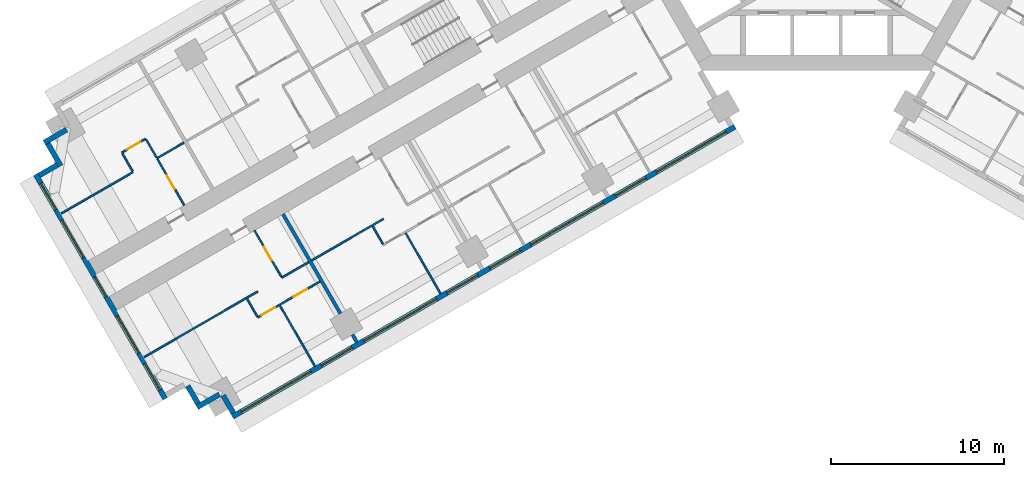
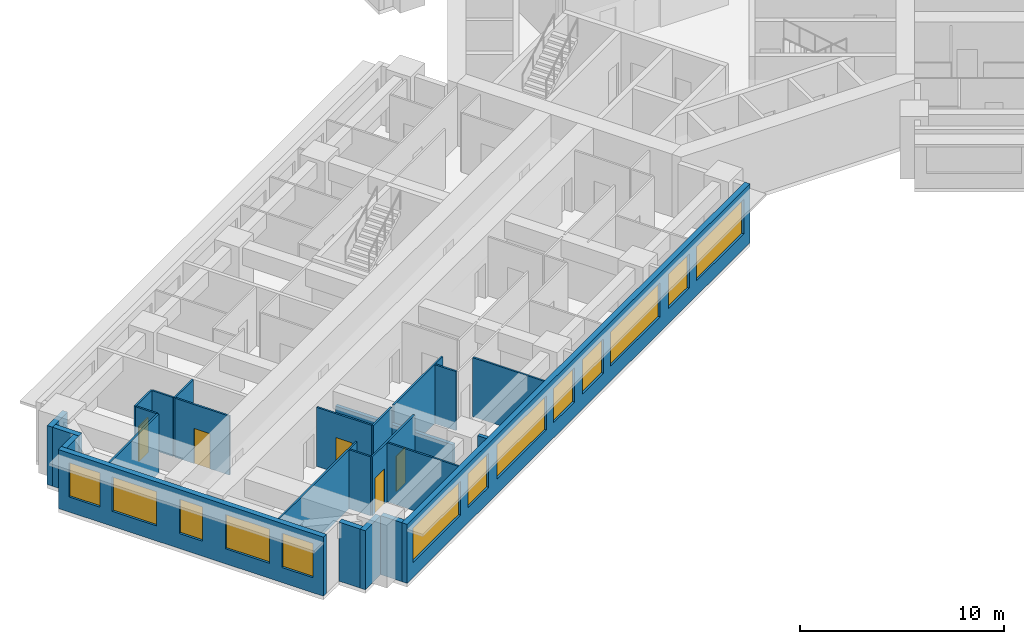
# One storey, part 3 of 15: 25 walls, 13 windows, 5 doors, 18 openings.
"""IFC4 building model written with IfcOpenShell, lengths in metres."""

from ifc_helpers import new_model, si_unit, direction, frame, frame_2d, origin, place, context, subcontext, project, spatial, rectangle, extrude, material, layer, layer_set, type_object, element, fill, save


model = new_model("IFC4")

# Units and contexts
model_context = context("Model", 3, precision=1e-05, world=origin(), true_north=direction((0.0, 1.0)))
body_context = subcontext(model_context, "Body", "Model", "MODEL_VIEW")
ifc_project = project(units=[si_unit("LENGTHUNIT", "METRE"), si_unit("AREAUNIT", "SQUARE_METRE"), si_unit("VOLUMEUNIT", "CUBIC_METRE"), si_unit("PLANEANGLEUNIT", "RADIAN"), si_unit("MASSUNIT", "GRAM", prefix="KILO")], contexts=[model_context])

# Site, building, storey
site_placement = place(None, origin())
site = spatial("IfcSite", under=ifc_project, at=site_placement, CompositionType="ELEMENT")
building_placement = place(site_placement, origin())
building = spatial("IfcBuilding", under=site, at=building_placement, Name="Impinga Residences", CompositionType="ELEMENT")
storey_placement = place(building_placement, frame((0.0, 0.0, 86.0)))
storey = spatial("IfcBuildingStorey", under=building, at=storey_placement, Name="L21", CompositionType="ELEMENT", Elevation=86.0)

# Walls
ifc_material_1 = material(Name="Terracotta rainscreen on blockwork", Category="masonry")
ifc_layer_1 = layer(ifc_material_1, 0.300048828125)
ifc_layer_set_1 = layer_set([ifc_layer_1], Name="EW1 external wall, terracotta rainscreen on blockwork 300")
wall_type_1 = type_object("IfcWallType", Name="EW1 external wall, terracotta rainscreen on blockwork 300", PredefinedType="SOLIDWALL", material=ifc_layer_set_1)
wall_1_placement = place(storey_placement, frame((-33.7685546875, -31.274169921875, 0.0), z_axis=(0.0, 0.0, 1.0), x_axis=(-0.499940577336, 0.866059708757, 0.0)))
element("IfcWall", 1, at=wall_1_placement, inside=storey, type_object=wall_type_1, Name="External wall EW1 L21", PredefinedType="SOLIDWALL", context=body_context, shape_type="SweptSolid", body=[
    extrude(rectangle(XDim=1.195068359375, YDim=0.300048828125, at=frame_2d((0.59765625, 0.0))), origin(), (0.0, 0.0, 1.0), 3.530029296875),
])
wall_2_placement = place(storey_placement, frame((-34.573486328125, -30.18017578125, 0.0), z_axis=(0.0, 0.0, 1.0), x_axis=(-0.866031096941, -0.499990139034, 0.0)))
element("IfcWall", 2, at=wall_2_placement, inside=storey, type_object=wall_type_1, Name="External wall EW1 L21", PredefinedType="SOLIDWALL", context=body_context, shape_type="SweptSolid", body=[
    extrude(rectangle(XDim=1.5, YDim=0.300048828125, at=frame_2d((0.75, 0.0))), origin(), (0.0, 0.0, 1.0), 3.530029296875),
])
wall_3_placement = place(storey_placement, frame((-35.817626953125, -30.72509765625, 0.0), z_axis=(0.0, 0.0, 1.0), x_axis=(-0.499969057507, 0.866043267704, 0.0)))
element("IfcWall", 3, at=wall_3_placement, inside=storey, type_object=wall_type_1, Name="External wall EW1 L21", PredefinedType="SOLIDWALL", context=body_context, shape_type="SweptSolid", body=[
    extrude(rectangle(XDim=1.19970703125, YDim=0.300048828125, at=frame_2d((0.599853515625, 0.0))), origin(), (0.0, 0.0, 1.0), 3.530029296875),
])

# Wall, openings, windows
wall_4_placement = place(storey_placement, frame((-37.716552734375, -30.43603515625, 0.0), z_axis=(0.0, 0.0, 1.0), x_axis=(-0.499997186618, 0.866027028085, 0.0)))
wall_4 = element("IfcWall", 4, at=wall_4_placement, inside=storey, type_object=wall_type_1, Name="External wall EW1 L21", PredefinedType="SOLIDWALL", context=body_context, shape_type="SweptSolid", body=[
    extrude(rectangle(XDim=15.0, YDim=0.300048828125, at=frame_2d((7.5, 0.0))), origin(), (0.0, 0.0, 1.0), 3.530029296875),
])
opening_1_placement = place(wall_4_placement, frame((0.60009765625, 0.0, 0.89990234375)))
opening_1 = element("IfcOpeningElement", 5, at=opening_1_placement, cuts=wall_4, Name="Opening W1", PredefinedType="OPENING", context=body_context, shape_type="SweptSolid", body=[
    extrude(rectangle(XDim=1.75, YDim=2.050048828125, at=frame_2d((0.875, 1.02490234375))), frame((0.0, 0.159912109375, 0.0), z_axis=(0.0, -1.0, 0.0), x_axis=(1.0, 0.0, 0.0)), (0.0, 0.0, 1.0), 0.320068359375),
])
opening_2_placement = place(wall_4_placement, frame((3.050048828125, 0.0, 0.89990234375)))
opening_2 = element("IfcOpeningElement", 6, at=opening_2_placement, cuts=wall_4, Name="Opening W2", PredefinedType="OPENING", context=body_context, shape_type="SweptSolid", body=[
    extrude(rectangle(XDim=2.5, YDim=2.050048828125, at=frame_2d((1.25, 1.02490234375))), frame((0.0, 0.159912109375, 0.0), z_axis=(0.0, -1.0, 0.0), x_axis=(1.0, 0.0, 0.0)), (0.0, 0.0, 1.0), 0.320068359375),
])
opening_3_placement = place(wall_4_placement, frame((6.85009765625, 0.0, 0.89990234375)))
opening_3 = element("IfcOpeningElement", 7, at=opening_3_placement, cuts=wall_4, Name="Opening WE1", PredefinedType="OPENING", context=body_context, shape_type="SweptSolid", body=[
    extrude(rectangle(XDim=1.300048828125, YDim=2.050048828125, at=frame_2d((0.64990234375, 1.02490234375))), frame((0.0, 0.159912109375, 0.0), z_axis=(0.0, -1.0, 0.0), x_axis=(1.0, 0.0, 0.0)), (0.0, 0.0, 1.0), 0.320068359375),
])
opening_4_placement = place(wall_4_placement, frame((9.449951171875, 0.0, 0.89990234375)))
opening_4 = element("IfcOpeningElement", 8, at=opening_4_placement, cuts=wall_4, Name="Opening W2", PredefinedType="OPENING", context=body_context, shape_type="SweptSolid", body=[
    extrude(rectangle(XDim=2.5, YDim=2.050048828125, at=frame_2d((1.25, 1.02490234375))), frame((0.0, 0.159912109375, 0.0), z_axis=(0.0, -1.0, 0.0), x_axis=(1.0, 0.0, 0.0)), (0.0, 0.0, 1.0), 0.320068359375),
])
opening_5_placement = place(wall_4_placement, frame((12.64990234375, 0.0, 0.89990234375)))
opening_5 = element("IfcOpeningElement", 9, at=opening_5_placement, cuts=wall_4, Name="Opening W1", PredefinedType="OPENING", context=body_context, shape_type="SweptSolid", body=[
    extrude(rectangle(XDim=1.75, YDim=2.050048828125, at=frame_2d((0.875, 1.02490234375))), frame((0.0, 0.159912109375, 0.0), z_axis=(0.0, -1.0, 0.0), x_axis=(1.0, 0.0, 0.0)), (0.0, 0.0, 1.0), 0.320068359375),
])
ifc_material_2 = material(Name="Aluminium window, clear double glazing", Category="aluminium")
window_type_1 = type_object("IfcWindowType", Name="W1 ribbon window 1750x2050", PartitioningType="SINGLE_PANEL", PredefinedType="WINDOW", material=ifc_material_2)
window_1_placement = place(opening_1_placement, origin())
window_1 = element("IfcWindow", 10, at=window_1_placement, inside=storey, type_object=window_type_1, Name="Window L21", OverallHeight=2.050048828125, OverallWidth=1.75, PartitioningType="SINGLE_PANEL", PredefinedType="WINDOW", context=body_context, shape_type="SweptSolid", body=[
    extrude(rectangle(XDim=1.75, YDim=2.050048828125, at=frame_2d((0.875, 1.02490234375))), frame((0.0, 0.030029296875, 0.0), z_axis=(0.0, -1.0, 0.0), x_axis=(1.0, 0.0, 0.0)), (0.0, 0.0, 1.0), 0.06005859375),
])
fill(opening_1, window_1)
window_2_placement = place(opening_5_placement, origin())
window_2 = element("IfcWindow", 11, at=window_2_placement, inside=storey, type_object=window_type_1, Name="Window L21", OverallHeight=2.050048828125, OverallWidth=1.75, PartitioningType="SINGLE_PANEL", PredefinedType="WINDOW", context=body_context, shape_type="SweptSolid", body=[
    extrude(rectangle(XDim=1.75, YDim=2.050048828125, at=frame_2d((0.875, 1.02490234375))), frame((0.0, 0.030029296875, 0.0), z_axis=(0.0, -1.0, 0.0), x_axis=(1.0, 0.0, 0.0)), (0.0, 0.0, 1.0), 0.06005859375),
])
fill(opening_5, window_2)
window_type_2 = type_object("IfcWindowType", Name="W2 ribbon window 2500x2050", PartitioningType="SINGLE_PANEL", PredefinedType="WINDOW", material=ifc_material_2)
window_3_placement = place(opening_2_placement, origin())
window_3 = element("IfcWindow", 12, at=window_3_placement, inside=storey, type_object=window_type_2, Name="Window L21", OverallHeight=2.050048828125, OverallWidth=2.5, PartitioningType="SINGLE_PANEL", PredefinedType="WINDOW", context=body_context, shape_type="SweptSolid", body=[
    extrude(rectangle(XDim=2.5, YDim=2.050048828125, at=frame_2d((1.25, 1.02490234375))), frame((0.0, 0.030029296875, 0.0), z_axis=(0.0, -1.0, 0.0), x_axis=(1.0, 0.0, 0.0)), (0.0, 0.0, 1.0), 0.06005859375),
])
fill(opening_2, window_3)
window_4_placement = place(opening_4_placement, origin())
window_4 = element("IfcWindow", 13, at=window_4_placement, inside=storey, type_object=window_type_2, Name="Window L21", OverallHeight=2.050048828125, OverallWidth=2.5, PartitioningType="SINGLE_PANEL", PredefinedType="WINDOW", context=body_context, shape_type="SweptSolid", body=[
    extrude(rectangle(XDim=2.5, YDim=2.050048828125, at=frame_2d((1.25, 1.02490234375))), frame((0.0, 0.030029296875, 0.0), z_axis=(0.0, -1.0, 0.0), x_axis=(1.0, 0.0, 0.0)), (0.0, 0.0, 1.0), 0.06005859375),
])
fill(opening_4, window_4)
window_type_3 = type_object("IfcWindowType", Name="WE1 corridor window 1300x2050", PartitioningType="SINGLE_PANEL", PredefinedType="WINDOW", material=ifc_material_2)
window_5_placement = place(opening_3_placement, origin())
window_5 = element("IfcWindow", 14, at=window_5_placement, inside=storey, type_object=window_type_3, Name="Window L21", OverallHeight=2.050048828125, OverallWidth=1.300048828125, PartitioningType="SINGLE_PANEL", PredefinedType="WINDOW", context=body_context, shape_type="SweptSolid", body=[
    extrude(rectangle(XDim=1.300048828125, YDim=2.050048828125, at=frame_2d((0.64990234375, 1.02490234375))), frame((0.0, 0.030029296875, 0.0), z_axis=(0.0, -1.0, 0.0), x_axis=(1.0, 0.0, 0.0)), (0.0, 0.0, 1.0), 0.06005859375),
])
fill(opening_3, window_5)

# Walls
wall_5_placement = place(storey_placement, frame((-45.01171875, -17.50048828125, 0.0), z_axis=(0.0, 0.0, 1.0), x_axis=(0.866059708757, 0.499940577336, 0.0)))
element("IfcWall", 15, at=wall_5_placement, inside=storey, type_object=wall_type_1, Name="External wall EW1 L21", PredefinedType="SOLIDWALL", context=body_context, shape_type="SweptSolid", body=[
    extrude(rectangle(XDim=1.195068359375, YDim=0.300048828125, at=frame_2d((0.59765625, 0.0))), origin(), (0.0, 0.0, 1.0), 3.530029296875),
])
for number, where, z_axis, x_axis, name in (
    (16, (-43.767578125, -16.955322265625, 0.0), (0.0, 0.0, 1.0), (-0.499990139034, 0.866031096941, 0.0), "External wall EW1 L21"),
    (17, (-44.722412109375, -15.6015625, 0.0), (0.0, 0.0, 1.0), (0.866031096941, 0.499990139034, 0.0), "External wall EW1 L21"),
):
    element("IfcWall", number, at=place(storey_placement, frame(where, z_axis=z_axis, x_axis=x_axis)), inside=storey, type_object=wall_type_1, Name=name, PredefinedType="SOLIDWALL", context=body_context, shape_type="SweptSolid", body=[
        extrude(rectangle(XDim=1.5, YDim=0.300048828125, at=frame_2d((0.75, 0.0))), origin(), (0.0, 0.0, 1.0), 3.530029296875),
    ])

# Wall, openings, windows
wall_6_placement = place(storey_placement, frame((-4.72509765625, -14.67919921875, 0.0), z_axis=(0.0, 0.0, 1.0), x_axis=(-0.866024291668, -0.500001926238, 0.0)))
wall_6 = element("IfcWall", 18, at=wall_6_placement, inside=storey, type_object=wall_type_1, Name="External wall EW1 L21", PredefinedType="SOLIDWALL", context=body_context, shape_type="SweptSolid", body=[
    extrude(rectangle(XDim=33.599853515625, YDim=0.300048828125, at=frame_2d((16.7998046875, 0.0))), origin(), (0.0, 0.0, 1.0), 3.530029296875),
])
opening_6_placement = place(wall_6_placement, frame((0.60009765625, 0.0, 0.89990234375)))
opening_6 = element("IfcOpeningElement", 19, at=opening_6_placement, cuts=wall_6, Name="Opening W10", PredefinedType="OPENING", context=body_context, shape_type="SweptSolid", body=[
    extrude(rectangle(XDim=4.64990234375, YDim=2.050048828125, at=frame_2d((2.324951171875, 1.02490234375))), frame((0.0, 0.159912109375, 0.0), z_axis=(0.0, -1.0, 0.0), x_axis=(1.0, 0.0, 0.0)), (0.0, 0.0, 1.0), 0.320068359375),
])
opening_7_placement = place(wall_6_placement, frame((5.949951171875, 0.0, 0.89990234375)))
opening_7 = element("IfcOpeningElement", 20, at=opening_7_placement, cuts=wall_6, Name="Opening W14", PredefinedType="OPENING", context=body_context, shape_type="SweptSolid", body=[
    extrude(rectangle(XDim=2.050048828125, YDim=2.050048828125, at=frame_2d((1.02490234375, 1.02490234375))), frame((0.0, 0.159912109375, 0.0), z_axis=(0.0, -1.0, 0.0), x_axis=(1.0, 0.0, 0.0)), (0.0, 0.0, 1.0), 0.320068359375),
])
opening_8_placement = place(wall_6_placement, frame((8.800048828125, 0.0, 0.89990234375)))
opening_8 = element("IfcOpeningElement", 21, at=opening_8_placement, cuts=wall_6, Name="Opening W6", PredefinedType="OPENING", context=body_context, shape_type="SweptSolid", body=[
    extrude(rectangle(XDim=4.85009765625, YDim=2.050048828125, at=frame_2d((2.425048828125, 1.02490234375))), frame((0.0, 0.159912109375, 0.0), z_axis=(0.0, -1.0, 0.0), x_axis=(1.0, 0.0, 0.0)), (0.0, 0.0, 1.0), 0.320068359375),
])
opening_9_placement = place(wall_6_placement, frame((14.35009765625, 0.0, 0.89990234375)))
opening_9 = element("IfcOpeningElement", 22, at=opening_9_placement, cuts=wall_6, Name="Opening W14", PredefinedType="OPENING", context=body_context, shape_type="SweptSolid", body=[
    extrude(rectangle(XDim=2.050048828125, YDim=2.050048828125, at=frame_2d((1.02490234375, 1.02490234375))), frame((0.0, 0.159912109375, 0.0), z_axis=(0.0, -1.0, 0.0), x_axis=(1.0, 0.0, 0.0)), (0.0, 0.0, 1.0), 0.320068359375),
])
opening_10_placement = place(wall_6_placement, frame((17.199951171875, 0.0, 0.89990234375)))
opening_10 = element("IfcOpeningElement", 23, at=opening_10_placement, cuts=wall_6, Name="Opening W14", PredefinedType="OPENING", context=body_context, shape_type="SweptSolid", body=[
    extrude(rectangle(XDim=2.050048828125, YDim=2.050048828125, at=frame_2d((1.02490234375, 1.02490234375))), frame((0.0, 0.159912109375, 0.0), z_axis=(0.0, -1.0, 0.0), x_axis=(1.0, 0.0, 0.0)), (0.0, 0.0, 1.0), 0.320068359375),
])
opening_11_placement = place(wall_6_placement, frame((19.949951171875, 0.0, 0.89990234375)))
opening_11 = element("IfcOpeningElement", 24, at=opening_11_placement, cuts=wall_6, Name="Opening W6", PredefinedType="OPENING", context=body_context, shape_type="SweptSolid", body=[
    extrude(rectangle(XDim=4.85009765625, YDim=2.050048828125, at=frame_2d((2.425048828125, 1.02490234375))), frame((0.0, 0.159912109375, 0.0), z_axis=(0.0, -1.0, 0.0), x_axis=(1.0, 0.0, 0.0)), (0.0, 0.0, 1.0), 0.320068359375),
])
opening_12_placement = place(wall_6_placement, frame((25.60009765625, 0.0, 0.89990234375)))
opening_12 = element("IfcOpeningElement", 25, at=opening_12_placement, cuts=wall_6, Name="Opening W14", PredefinedType="OPENING", context=body_context, shape_type="SweptSolid", body=[
    extrude(rectangle(XDim=2.050048828125, YDim=2.050048828125, at=frame_2d((1.02490234375, 1.02490234375))), frame((0.0, 0.159912109375, 0.0), z_axis=(0.0, -1.0, 0.0), x_axis=(1.0, 0.0, 0.0)), (0.0, 0.0, 1.0), 0.320068359375),
])
opening_13_placement = place(wall_6_placement, frame((28.35009765625, 0.0, 0.89990234375)))
opening_13 = element("IfcOpeningElement", 26, at=opening_13_placement, cuts=wall_6, Name="Opening W10", PredefinedType="OPENING", context=body_context, shape_type="SweptSolid", body=[
    extrude(rectangle(XDim=4.64990234375, YDim=2.050048828125, at=frame_2d((2.324951171875, 1.02490234375))), frame((0.0, 0.159912109375, 0.0), z_axis=(0.0, -1.0, 0.0), x_axis=(1.0, 0.0, 0.0)), (0.0, 0.0, 1.0), 0.320068359375),
])
window_type_4 = type_object("IfcWindowType", Name="W10 ribbon window 4650x2050", PartitioningType="SINGLE_PANEL", PredefinedType="WINDOW", material=ifc_material_2)
window_6_placement = place(opening_6_placement, origin())
window_6 = element("IfcWindow", 27, at=window_6_placement, inside=storey, type_object=window_type_4, Name="Window L21", OverallHeight=2.050048828125, OverallWidth=4.64990234375, PartitioningType="SINGLE_PANEL", PredefinedType="WINDOW", context=body_context, shape_type="SweptSolid", body=[
    extrude(rectangle(XDim=4.64990234375, YDim=2.050048828125, at=frame_2d((2.324951171875, 1.02490234375))), frame((0.0, 0.030029296875, 0.0), z_axis=(0.0, -1.0, 0.0), x_axis=(1.0, 0.0, 0.0)), (0.0, 0.0, 1.0), 0.06005859375),
])
fill(opening_6, window_6)
window_7_placement = place(opening_13_placement, origin())
window_7 = element("IfcWindow", 28, at=window_7_placement, inside=storey, type_object=window_type_4, Name="Window L21", OverallHeight=2.050048828125, OverallWidth=4.64990234375, PartitioningType="SINGLE_PANEL", PredefinedType="WINDOW", context=body_context, shape_type="SweptSolid", body=[
    extrude(rectangle(XDim=4.64990234375, YDim=2.050048828125, at=frame_2d((2.324951171875, 1.02490234375))), frame((0.0, 0.030029296875, 0.0), z_axis=(0.0, -1.0, 0.0), x_axis=(1.0, 0.0, 0.0)), (0.0, 0.0, 1.0), 0.06005859375),
])
fill(opening_13, window_7)
window_type_5 = type_object("IfcWindowType", Name="W14 ribbon window 2050x2050", PartitioningType="SINGLE_PANEL", PredefinedType="WINDOW", material=ifc_material_2)
window_8_placement = place(opening_7_placement, origin())
window_8 = element("IfcWindow", 29, at=window_8_placement, inside=storey, type_object=window_type_5, Name="Window L21", OverallHeight=2.050048828125, OverallWidth=2.050048828125, PartitioningType="SINGLE_PANEL", PredefinedType="WINDOW", context=body_context, shape_type="SweptSolid", body=[
    extrude(rectangle(XDim=2.050048828125, YDim=2.050048828125, at=frame_2d((1.02490234375, 1.02490234375))), frame((0.0, 0.030029296875, 0.0), z_axis=(0.0, -1.0, 0.0), x_axis=(1.0, 0.0, 0.0)), (0.0, 0.0, 1.0), 0.06005859375),
])
fill(opening_7, window_8)
window_9_placement = place(opening_9_placement, origin())
window_9 = element("IfcWindow", 30, at=window_9_placement, inside=storey, type_object=window_type_5, Name="Window L21", OverallHeight=2.050048828125, OverallWidth=2.050048828125, PartitioningType="SINGLE_PANEL", PredefinedType="WINDOW", context=body_context, shape_type="SweptSolid", body=[
    extrude(rectangle(XDim=2.050048828125, YDim=2.050048828125, at=frame_2d((1.02490234375, 1.02490234375))), frame((0.0, 0.030029296875, 0.0), z_axis=(0.0, -1.0, 0.0), x_axis=(1.0, 0.0, 0.0)), (0.0, 0.0, 1.0), 0.06005859375),
])
fill(opening_9, window_9)
window_10_placement = place(opening_10_placement, origin())
window_10 = element("IfcWindow", 31, at=window_10_placement, inside=storey, type_object=window_type_5, Name="Window L21", OverallHeight=2.050048828125, OverallWidth=2.050048828125, PartitioningType="SINGLE_PANEL", PredefinedType="WINDOW", context=body_context, shape_type="SweptSolid", body=[
    extrude(rectangle(XDim=2.050048828125, YDim=2.050048828125, at=frame_2d((1.02490234375, 1.02490234375))), frame((0.0, 0.030029296875, 0.0), z_axis=(0.0, -1.0, 0.0), x_axis=(1.0, 0.0, 0.0)), (0.0, 0.0, 1.0), 0.06005859375),
])
fill(opening_10, window_10)
window_11_placement = place(opening_12_placement, origin())
window_11 = element("IfcWindow", 32, at=window_11_placement, inside=storey, type_object=window_type_5, Name="Window L21", OverallHeight=2.050048828125, OverallWidth=2.050048828125, PartitioningType="SINGLE_PANEL", PredefinedType="WINDOW", context=body_context, shape_type="SweptSolid", body=[
    extrude(rectangle(XDim=2.050048828125, YDim=2.050048828125, at=frame_2d((1.02490234375, 1.02490234375))), frame((0.0, 0.030029296875, 0.0), z_axis=(0.0, -1.0, 0.0), x_axis=(1.0, 0.0, 0.0)), (0.0, 0.0, 1.0), 0.06005859375),
])
fill(opening_12, window_11)
window_type_6 = type_object("IfcWindowType", Name="W6 ribbon window 4850x2050", PartitioningType="SINGLE_PANEL", PredefinedType="WINDOW", material=ifc_material_2)
window_12_placement = place(opening_8_placement, origin())
window_12 = element("IfcWindow", 33, at=window_12_placement, inside=storey, type_object=window_type_6, Name="Window L21", OverallHeight=2.050048828125, OverallWidth=4.85009765625, PartitioningType="SINGLE_PANEL", PredefinedType="WINDOW", context=body_context, shape_type="SweptSolid", body=[
    extrude(rectangle(XDim=4.85009765625, YDim=2.050048828125, at=frame_2d((2.425048828125, 1.02490234375))), frame((0.0, 0.030029296875, 0.0), z_axis=(0.0, -1.0, 0.0), x_axis=(1.0, 0.0, 0.0)), (0.0, 0.0, 1.0), 0.06005859375),
])
fill(opening_8, window_12)
window_13_placement = place(opening_11_placement, origin())
window_13 = element("IfcWindow", 34, at=window_13_placement, inside=storey, type_object=window_type_6, Name="Window L21", OverallHeight=2.050048828125, OverallWidth=4.85009765625, PartitioningType="SINGLE_PANEL", PredefinedType="WINDOW", context=body_context, shape_type="SweptSolid", body=[
    extrude(rectangle(XDim=4.85009765625, YDim=2.050048828125, at=frame_2d((2.425048828125, 1.02490234375))), frame((0.0, 0.030029296875, 0.0), z_axis=(0.0, -1.0, 0.0), x_axis=(1.0, 0.0, 0.0)), (0.0, 0.0, 1.0), 0.06005859375),
])
fill(opening_11, window_13)

# Walls
ifc_material_3 = material(Name="Gypsum board on steel studs", Category="steel")
ifc_layer_2 = layer(ifc_material_3, 0.10009765625)
ifc_layer_set_2 = layer_set([ifc_layer_2], Name="Gypsum board on steel studs")
wall_type_2 = type_object("IfcWallType", Name="IP1 partition 100", PredefinedType="PARTITIONING", material=ifc_layer_set_2)
wall_7_placement = place(storey_placement, frame((-25.080322265625, -20.022705078125, 0.0), z_axis=(0.0, 0.0, 1.0), x_axis=(-0.866037363387, -0.499979284789, 0.0)))
element("IfcWall", 35, at=wall_7_placement, inside=storey, type_object=wall_type_2, Name="Partition L21-WA3:DIV1", PredefinedType="PARTITIONING", context=body_context, shape_type="SweptSolid", body=[
    extrude(rectangle(XDim=4.800048828125, YDim=0.10009765625, at=frame_2d((2.39990234375, 0.0))), origin(), (0.0, 0.0, 1.0), 3.530029296875),
])
wall_8_placement = place(storey_placement, frame((-25.704833984375, -20.44091796875, 0.0), z_axis=(0.0, 0.0, 1.0), x_axis=(0.500033551112, -0.866006032174, 0.0)))
element("IfcWall", 36, at=wall_8_placement, inside=storey, type_object=wall_type_2, Name="Partition L21-WA3:SE1", PredefinedType="PARTITIONING", context=body_context, shape_type="SweptSolid", body=[
    extrude(rectangle(XDim=1.2001953125, YDim=0.10009765625, at=frame_2d((0.60009765625, 0.0))), origin(), (0.0, 0.0, 1.0), 3.530029296875),
])
wall_9_placement = place(storey_placement, frame((-23.799072265625, -20.841796875, 0.0), z_axis=(0.0, 0.0, 1.0), x_axis=(0.499990325971, -0.866030989016, 0.0)))
element("IfcWall", 37, at=wall_9_placement, inside=storey, type_object=wall_type_2, Name="Partition L21-WA3:OB1", PredefinedType="PARTITIONING", context=body_context, shape_type="SweptSolid", body=[
    extrude(rectangle(XDim=4.0498046875, YDim=0.10009765625, at=frame_2d((2.02490234375, 0.0))), origin(), (0.0, 0.0, 1.0), 3.530029296875),
])
wall_10_placement = place(storey_placement, frame((-29.410400390625, -22.522705078125, 0.0), z_axis=(0.0, 0.0, 1.0), x_axis=(-0.866047807691, -0.499961193289, 0.0)))
element("IfcWall", 38, at=wall_10_placement, inside=storey, type_object=wall_type_2, Name="Partition L21-WA4:DIV0", PredefinedType="PARTITIONING", context=body_context, shape_type="SweptSolid", body=[
    extrude(rectangle(XDim=1.800048828125, YDim=0.10009765625, at=frame_2d((0.89990234375, 0.0))), origin(), (0.0, 0.0, 1.0), 3.530029296875),
])
wall_11_placement = place(storey_placement, frame((-32.35498046875, -24.22265625, 0.0), z_axis=(0.0, 0.0, 1.0), x_axis=(-0.866022425744, -0.500005158081, 0.0)))
element("IfcWall", 39, at=wall_11_placement, inside=storey, type_object=wall_type_2, Name="Partition L21-WA4:DIV1", PredefinedType="PARTITIONING", context=body_context, shape_type="SweptSolid", body=[
    extrude(rectangle(XDim=7.60009765625, YDim=0.10009765625, at=frame_2d((3.800048828125, 0.0))), origin(), (0.0, 0.0, 1.0), 3.530029296875),
])

# Wall, openings, doors
wall_12_placement = place(storey_placement, frame((-28.760498046875, -23.6484375, 0.0), z_axis=(0.0, 0.0, 1.0), x_axis=(-0.866004344652, -0.500036473714, 0.0)))
wall_12 = element("IfcWall", 40, at=wall_12_placement, inside=storey, type_object=wall_type_2, Name="Partition L21-WA4:STRIP", PredefinedType="PARTITIONING", context=body_context, shape_type="SweptSolid", body=[
    extrude(rectangle(XDim=4.150146484375, YDim=0.10009765625, at=frame_2d((2.0751953125, 0.0))), origin(), (0.0, 0.0, 1.0), 3.530029296875),
])
opening_14_placement = place(wall_12_placement, frame((0.875, 0.0, 0.0)))
opening_14 = element("IfcOpeningElement", 41, at=opening_14_placement, cuts=wall_12, Name="Opening D2", PredefinedType="OPENING", context=body_context, shape_type="SweptSolid", body=[
    extrude(rectangle(XDim=0.89990234375, YDim=2.10009765625, at=frame_2d((0.449951171875, 1.050048828125))), frame((0.0, 0.06005859375, 0.0), z_axis=(0.0, -1.0, 0.0), x_axis=(1.0, 0.0, 0.0)), (0.0, 0.0, 1.0), 0.1201171875),
])
opening_15_placement = place(wall_12_placement, frame((3.0, 0.0, 0.0)))
opening_15 = element("IfcOpeningElement", 42, at=opening_15_placement, cuts=wall_12, Name="Opening D2", PredefinedType="OPENING", context=body_context, shape_type="SweptSolid", body=[
    extrude(rectangle(XDim=0.89990234375, YDim=2.10009765625, at=frame_2d((0.449951171875, 1.050048828125))), frame((0.0, 0.06005859375, 0.0), z_axis=(0.0, -1.0, 0.0), x_axis=(1.0, 0.0, 0.0)), (0.0, 0.0, 1.0), 0.1201171875),
])
ifc_material_4 = material(Name="Timber door set", Category="wood")
door_type = type_object("IfcDoorType", Name="D2 internal door 900x2100", OperationType="SINGLE_SWING_LEFT", PredefinedType="DOOR", material=ifc_material_4)
door_1_placement = place(opening_14_placement, origin())
door_1 = element("IfcDoor", 43, at=door_1_placement, inside=storey, type_object=door_type, Name="Apartment L21-WA4 room door", OperationType="SINGLE_SWING_LEFT", OverallHeight=2.10009765625, OverallWidth=0.89990234375, PredefinedType="DOOR", context=body_context, shape_type="SweptSolid", body=[
    extrude(rectangle(XDim=0.89990234375, YDim=2.10009765625, at=frame_2d((0.449951171875, 1.050048828125))), frame((0.0, 0.02490234375, 0.0), z_axis=(0.0, -1.0, 0.0), x_axis=(1.0, 0.0, 0.0)), (0.0, 0.0, 1.0), 0.050048828125),
])
fill(opening_14, door_1)
door_2_placement = place(opening_15_placement, origin())
door_2 = element("IfcDoor", 44, at=door_2_placement, inside=storey, type_object=door_type, Name="Apartment L21-WA4 room door", OperationType="SINGLE_SWING_RIGHT", OverallHeight=2.10009765625, OverallWidth=0.89990234375, PredefinedType="DOOR", context=body_context, shape_type="SweptSolid", body=[
    extrude(rectangle(XDim=0.89990234375, YDim=2.10009765625, at=frame_2d((0.449951171875, 1.050048828125))), frame((0.0, 0.02490234375, 0.0), z_axis=(0.0, -1.0, 0.0), x_axis=(1.0, 0.0, 0.0)), (0.0, 0.0, 1.0), 0.050048828125),
])
fill(opening_15, door_2)

# Wall
wall_13_placement = place(storey_placement, frame((-32.9794921875, -24.640869140625, 0.0), z_axis=(0.0, 0.0, 1.0), x_axis=(0.500033551112, -0.866006032174, 0.0)))
element("IfcWall", 45, at=wall_13_placement, inside=storey, type_object=wall_type_2, Name="Partition L21-WA4:SE1", PredefinedType="PARTITIONING", context=body_context, shape_type="SweptSolid", body=[
    extrude(rectangle(XDim=1.2001953125, YDim=0.10009765625, at=frame_2d((0.60009765625, 0.0))), origin(), (0.0, 0.0, 1.0), 3.530029296875),
])

# Wall, opening, door
wall_14_placement = place(storey_placement, frame((-32.544189453125, -20.69482421875, 0.0), z_axis=(0.0, 0.0, 1.0), x_axis=(0.499967891604, -0.866043940782, 0.0)))
wall_14 = element("IfcWall", 46, at=wall_14_placement, inside=storey, type_object=wall_type_2, Name="Partition L21-WA4:IB1", PredefinedType="PARTITIONING", context=body_context, shape_type="SweptSolid", body=[
    extrude(rectangle(XDim=3.099853515625, YDim=0.10009765625, at=frame_2d((1.5498046875, 0.0))), origin(), (0.0, 0.0, 1.0), 3.530029296875),
])
opening_16_placement = place(wall_14_placement, frame((1.10009765625, 0.0, 0.0)))
opening_16 = element("IfcOpeningElement", 47, at=opening_16_placement, cuts=wall_14, Name="Opening D2", PredefinedType="OPENING", context=body_context, shape_type="SweptSolid", body=[
    extrude(rectangle(XDim=0.89990234375, YDim=2.10009765625, at=frame_2d((0.449951171875, 1.050048828125))), frame((0.0, 0.06005859375, 0.0), z_axis=(0.0, -1.0, 0.0), x_axis=(1.0, 0.0, 0.0)), (0.0, 0.0, 1.0), 0.1201171875),
])
door_3_placement = place(opening_16_placement, origin())
door_3 = element("IfcDoor", 48, at=door_3_placement, inside=storey, type_object=door_type, Name="Apartment L21-WA4 bathroom door", OperationType="SINGLE_SWING_LEFT", OverallHeight=2.10009765625, OverallWidth=0.89990234375, PredefinedType="DOOR", context=body_context, shape_type="SweptSolid", body=[
    extrude(rectangle(XDim=0.89990234375, YDim=2.10009765625, at=frame_2d((0.449951171875, 1.050048828125))), frame((0.0, 0.02490234375, 0.0), z_axis=(0.0, -1.0, 0.0), x_axis=(1.0, 0.0, 0.0)), (0.0, 0.0, 1.0), 0.050048828125),
])
fill(opening_16, door_3)

# Walls
wall_15_placement = place(storey_placement, frame((-31.07373046875, -25.041748046875, 0.0), z_axis=(0.0, 0.0, 1.0), x_axis=(0.499964223975, -0.866046058097, 0.0)))
element("IfcWall", 49, at=wall_15_placement, inside=storey, type_object=wall_type_2, Name="Partition L21-WA4:OB1", PredefinedType="PARTITIONING", context=body_context, shape_type="SweptSolid", body=[
    extrude(rectangle(XDim=4.050048828125, YDim=0.10009765625, at=frame_2d((2.02490234375, 0.0))), origin(), (0.0, 0.0, 1.0), 3.530029296875),
])
wall_16_placement = place(storey_placement, frame((-36.63525390625, -15.60888671875, 0.0), z_axis=(0.0, 0.0, 1.0), x_axis=(-0.866047807691, -0.499961193289, 0.0)))
element("IfcWall", 50, at=wall_16_placement, inside=storey, type_object=wall_type_2, Name="Partition L21-WF3:DIV0", PredefinedType="PARTITIONING", context=body_context, shape_type="SweptSolid", body=[
    extrude(rectangle(XDim=1.800048828125, YDim=0.10009765625, at=frame_2d((0.89990234375, 0.0))), origin(), (0.0, 0.0, 1.0), 3.530029296875),
])
wall_17_placement = place(storey_placement, frame((-39.579833984375, -17.308837890625, 0.0), z_axis=(0.0, 0.0, 1.0), x_axis=(-0.866037363387, -0.499979284789, 0.0)))
element("IfcWall", 51, at=wall_17_placement, inside=storey, type_object=wall_type_2, Name="Partition L21-WF3:DIV1", PredefinedType="PARTITIONING", context=body_context, shape_type="SweptSolid", body=[
    extrude(rectangle(XDim=4.800048828125, YDim=0.10009765625, at=frame_2d((2.39990234375, 0.0))), origin(), (0.0, 0.0, 1.0), 3.530029296875),
])

# Wall, opening, door
wall_18_placement = place(storey_placement, frame((-38.84423828125, -15.383056640625, 0.0), z_axis=(0.0, 0.0, 1.0), x_axis=(-0.865989903783, -0.500061482766, 0.0)))
wall_18 = element("IfcWall", 52, at=wall_18_placement, inside=storey, type_object=wall_type_2, Name="Partition L21-WF3:STRIP", PredefinedType="PARTITIONING", context=body_context, shape_type="SweptSolid", body=[
    extrude(rectangle(XDim=1.599853515625, YDim=0.10009765625, at=frame_2d((0.7998046875, 0.0))), origin(), (0.0, 0.0, 1.0), 3.530029296875),
])
opening_17_placement = place(wall_18_placement, frame((0.35009765625, 0.0, 0.0)))
opening_17 = element("IfcOpeningElement", 53, at=opening_17_placement, cuts=wall_18, Name="Opening D2", PredefinedType="OPENING", context=body_context, shape_type="SweptSolid", body=[
    extrude(rectangle(XDim=0.89990234375, YDim=2.10009765625, at=frame_2d((0.449951171875, 1.050048828125))), frame((0.0, 0.06005859375, 0.0), z_axis=(0.0, -1.0, 0.0), x_axis=(1.0, 0.0, 0.0)), (0.0, 0.0, 1.0), 0.1201171875),
])
door_4_placement = place(opening_17_placement, origin())
door_4 = element("IfcDoor", 54, at=door_4_placement, inside=storey, type_object=door_type, Name="Apartment L21-WF3 room door", OperationType="SINGLE_SWING_LEFT", OverallHeight=2.10009765625, OverallWidth=0.89990234375, PredefinedType="DOOR", context=body_context, shape_type="SweptSolid", body=[
    extrude(rectangle(XDim=0.89990234375, YDim=2.10009765625, at=frame_2d((0.449951171875, 1.050048828125))), frame((0.0, 0.02490234375, 0.0), z_axis=(0.0, -1.0, 0.0), x_axis=(1.0, 0.0, 0.0)), (0.0, 0.0, 1.0), 0.050048828125),
])
fill(opening_17, door_4)

# Walls
wall_19_placement = place(storey_placement, frame((-38.21923828125, -16.465576171875, 0.0), z_axis=(0.0, 0.0, 1.0), x_axis=(-0.499880961361, 0.866094119867, 0.0)))
element("IfcWall", 55, at=wall_19_placement, inside=storey, type_object=wall_type_2, Name="Partition L21-WF3:SE0", PredefinedType="PARTITIONING", context=body_context, shape_type="SweptSolid", body=[
    extrude(rectangle(XDim=1.199951171875, YDim=0.10009765625, at=frame_2d((0.60009765625, 0.0))), origin(), (0.0, 0.0, 1.0), 3.530029296875),
])
wall_20_placement = place(storey_placement, frame((-39.604736328125, -17.265625, 0.0), z_axis=(0.0, 0.0, 1.0), x_axis=(-0.500033551112, 0.866006032174, 0.0)))
element("IfcWall", 56, at=wall_20_placement, inside=storey, type_object=wall_type_2, Name="Partition L21-WF3:SE1", PredefinedType="PARTITIONING", context=body_context, shape_type="SweptSolid", body=[
    extrude(rectangle(XDim=1.2001953125, YDim=0.10009765625, at=frame_2d((0.60009765625, 0.0))), origin(), (0.0, 0.0, 1.0), 3.530029296875),
])

# Wall, opening, door
wall_21_placement = place(storey_placement, frame((-36.619140625, -19.23681640625, 0.0), z_axis=(0.0, 0.0, 1.0), x_axis=(-0.500026960575, 0.86600983753, 0.0)))
wall_21 = element("IfcWall", 57, at=wall_21_placement, inside=storey, type_object=wall_type_2, Name="Partition L21-WF3:IB1", PredefinedType="PARTITIONING", context=body_context, shape_type="SweptSolid", body=[
    extrude(rectangle(XDim=3.099853515625, YDim=0.10009765625, at=frame_2d((1.5498046875, 0.0))), origin(), (0.0, 0.0, 1.0), 3.530029296875),
])
opening_18_placement = place(wall_21_placement, frame((1.10009765625, 0.0, 0.0)))
opening_18 = element("IfcOpeningElement", 58, at=opening_18_placement, cuts=wall_21, Name="Opening D2", PredefinedType="OPENING", context=body_context, shape_type="SweptSolid", body=[
    extrude(rectangle(XDim=0.89990234375, YDim=2.10009765625, at=frame_2d((0.449951171875, 1.050048828125))), frame((0.0, 0.06005859375, 0.0), z_axis=(0.0, -1.0, 0.0), x_axis=(1.0, 0.0, 0.0)), (0.0, 0.0, 1.0), 0.1201171875),
])
door_5_placement = place(opening_18_placement, origin())
door_5 = element("IfcDoor", 59, at=door_5_placement, inside=storey, type_object=door_type, Name="Apartment L21-WF3 bathroom door", OperationType="SINGLE_SWING_LEFT", OverallHeight=2.10009765625, OverallWidth=0.89990234375, PredefinedType="DOOR", context=body_context, shape_type="SweptSolid", body=[
    extrude(rectangle(XDim=0.89990234375, YDim=2.10009765625, at=frame_2d((0.449951171875, 1.050048828125))), frame((0.0, 0.02490234375, 0.0), z_axis=(0.0, -1.0, 0.0), x_axis=(1.0, 0.0, 0.0)), (0.0, 0.0, 1.0), 0.050048828125),
])
fill(opening_18, door_5)

# Walls
ifc_material_5 = material(Name="Concrete blockwork", Category="masonry")
ifc_layer_3 = layer(ifc_material_5, 0.199951171875)
ifc_layer_set_3 = layer_set([ifc_layer_3], Name="PW1 party wall between apartments 200")
wall_type_3 = type_object("IfcWallType", Name="PW1 party wall between apartments 200", PredefinedType="SOLIDWALL", material=ifc_layer_set_3)
wall_22_placement = place(storey_placement, frame((-30.89892578125, -19.74462890625, 0.0), z_axis=(0.0, 0.0, 1.0), x_axis=(0.500024353964, -0.86601134256, 0.0)))
element("IfcWall", 60, at=wall_22_placement, inside=storey, type_object=wall_type_3, Name="Party wall between apartments L21-WA3:PARTY", PredefinedType="SOLIDWALL", context=body_context, shape_type="SweptSolid", body=[
    extrude(rectangle(XDim=6.650146484375, YDim=0.199951171875, at=frame_2d((3.3251953125, 0.0))), origin(), (0.0, 0.0, 1.0), 2.47998046875),
])
wall_23_placement = place(storey_placement, frame((-26.873779296875, -26.71630859375, 0.0), z_axis=(0.0, 0.0, 1.0), x_axis=(0.500131122175, -0.865949687125, 0.0)))
element("IfcWall", 61, at=wall_23_placement, inside=storey, type_object=wall_type_3, Name="Party wall between apartments L21-WA3:PARTYb", PredefinedType="SOLIDWALL", context=body_context, shape_type="SweptSolid", body=[
    extrude(rectangle(XDim=0.499755859375, YDim=0.199951171875, at=frame_2d((0.25, 0.0))), origin(), (0.0, 0.0, 1.0), 3.530029296875),
])

save(model, "model.ifc")
